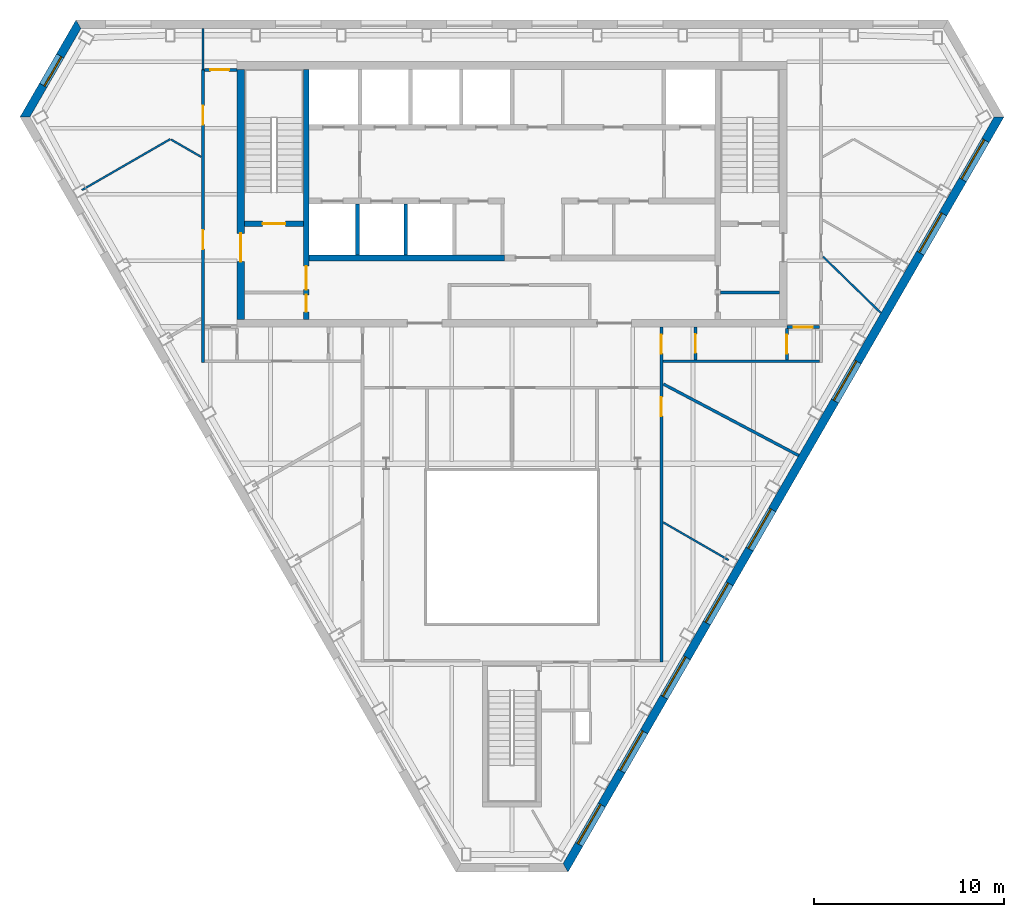
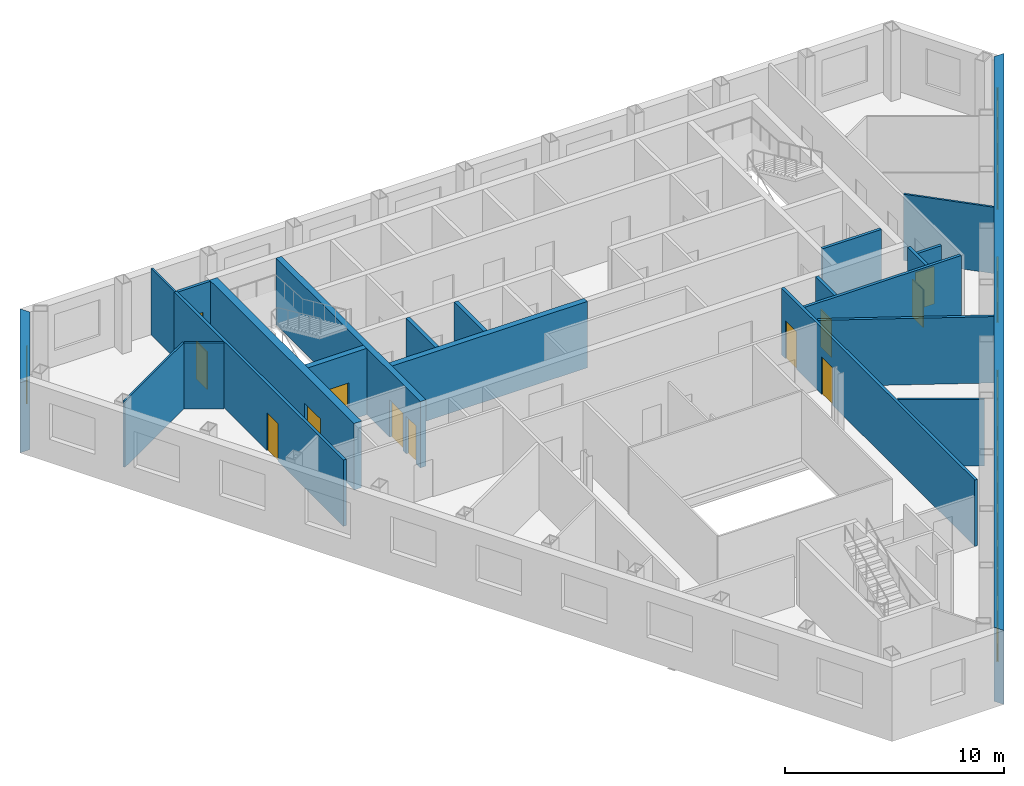
# One storey, part 5 of 10: 22 walls, 12 doors, 9 windows, 21 openings.
"""IFC4 building model written with IfcOpenShell, lengths in metres."""

from ifc_helpers import new_model, si_unit, direction, frame, frame_2d, origin, place, context, subcontext, project, spatial, polyline, rectangle, outline, extrude, material, layer, layer_set, type_object, element, fill, save


model = new_model("IFC4")

# Units and contexts
model_context = context("Model", 3, precision=1e-05, world=origin(), true_north=direction((0.0, 1.0)))
body_context = subcontext(model_context, "Body", "Model", "MODEL_VIEW")
ifc_project = project(units=[si_unit("LENGTHUNIT", "METRE"), si_unit("AREAUNIT", "SQUARE_METRE"), si_unit("VOLUMEUNIT", "CUBIC_METRE"), si_unit("PLANEANGLEUNIT", "RADIAN"), si_unit("MASSUNIT", "GRAM", prefix="KILO")], contexts=[model_context])

# Site, building, storey
site_placement = place(None, origin())
site = spatial("IfcSite", under=ifc_project, at=site_placement, CompositionType="ELEMENT")
building_placement = place(site_placement, origin())
building = spatial("IfcBuilding", under=site, at=building_placement, Name="Njiva Tower", CompositionType="ELEMENT")
storey_placement = place(building_placement, frame((0.0, 0.0, 264.9)))
storey = spatial("IfcBuildingStorey", under=building, at=storey_placement, Name="L60", CompositionType="ELEMENT", Elevation=264.9)

# Wall
ifc_material_1 = material(Name="Blockwork", Category="masonry")
ifc_layer_1 = layer(ifc_material_1, 0.15)
ifc_layer_set_1 = layer_set([ifc_layer_1], Name="Blockwork")
wall_type_1 = type_object("IfcWallType", Name="WT1 Compartment partition 150", PredefinedType="PARTITIONING", material=ifc_layer_set_1)
wall_1_placement = place(storey_placement, frame((11.0, 5.825, 0.0), z_axis=(0.0, 0.0, 1.0), x_axis=(1.0, 0.0, 0.0)))
element("IfcWall", 1, at=wall_1_placement, inside=storey, type_object=wall_type_1, Name="Room wall B", PredefinedType="PARTITIONING", context=body_context, shape_type="SweptSolid", body=[
    extrude(rectangle(XDim=3.1, YDim=0.15, at=frame_2d((1.55, 0.0))), origin(), (0.0, 0.0, 1.0), 3.7),
])

# Wall, openings, doors
ifc_material_2 = material(Name="Concrete C40/50", Category="concrete")
ifc_layer_2 = layer(ifc_material_2, 0.3)
ifc_layer_set_2 = layer_set([ifc_layer_2], Name="Concrete C40/50")
wall_type_2 = type_object("IfcWallType", Name="WT10 Stair enclosure wall 300", PredefinedType="SHEAR", material=ifc_layer_set_2)
wall_2_placement = place(storey_placement, frame((-10.85, 4.4, 0.0), z_axis=(0.0, 0.0, 1.0), x_axis=(0.0, 1.0, 0.0)))
wall_2 = element("IfcWall", 2, at=wall_2_placement, inside=storey, type_object=wall_type_2, Name="Stair wall west inner", PredefinedType="SHEAR", context=body_context, shape_type="SweptSolid", body=[
    extrude(rectangle(XDim=13.2, YDim=0.3, at=frame_2d((6.6, 0.0))), origin(), (0.0, 0.0, 1.0), 3.7),
])
opening_1_placement = place(wall_2_placement, frame((1.575, 0.0, 0.0)))
opening_1 = element("IfcOpeningElement", 3, at=opening_1_placement, cuts=wall_2, Name="Opening S19-D916", PredefinedType="OPENING", context=body_context, shape_type="SweptSolid", body=[
    extrude(rectangle(XDim=1.25, YDim=2.1, at=frame_2d((0.625, 1.05))), frame((0.0, 0.16, 0.0), z_axis=(0.0, -1.0, 0.0), x_axis=(1.0, 0.0, 0.0)), (0.0, 0.0, 1.0), 0.32),
])
opening_2_placement = place(wall_2_placement, frame((0.4, 0.0, 0.0)))
opening_2 = element("IfcOpeningElement", 4, at=opening_2_placement, cuts=wall_2, Name="Opening S19-D918", PredefinedType="OPENING", context=body_context, shape_type="SweptSolid", body=[
    extrude(rectangle(XDim=0.9, YDim=2.1, at=frame_2d((0.45, 1.05))), frame((0.0, 0.16, 0.0), z_axis=(0.0, -1.0, 0.0), x_axis=(1.0, 0.0, 0.0)), (0.0, 0.0, 1.0), 0.32),
])
ifc_material_3 = material(Name="Steel door, painted", Category="steel")
door_type_1 = type_object("IfcDoorType", Name="D13 Steel door 900x2100", OperationType="SINGLE_SWING_LEFT", PredefinedType="DOOR", material=ifc_material_3)
door_1_placement = place(opening_2_placement, origin())
door_1 = element("IfcDoor", 5, at=door_1_placement, inside=storey, type_object=door_type_1, Name="Reading room door", OperationType="SINGLE_SWING_RIGHT", OverallHeight=2.1, OverallWidth=0.9, PredefinedType="DOOR", context=body_context, shape_type="SweptSolid", body=[
    extrude(rectangle(XDim=0.9, YDim=2.1, at=frame_2d((0.45, 1.05))), frame((0.0, 0.025, 0.0), z_axis=(0.0, -1.0, 0.0), x_axis=(1.0, 0.0, 0.0)), (0.0, 0.0, 1.0), 0.05),
])
fill(opening_2, door_1)
ifc_material_4 = material(Name="Glazed steel fire door", Category="steel")
door_type_2 = type_object("IfcDoorType", Name="D8 Vestibule corridor door 1250x2100 glazed", OperationType="SINGLE_SWING_LEFT", PredefinedType="DOOR", material=ifc_material_4)
door_2_placement = place(opening_1_placement, origin())
door_2 = element("IfcDoor", 6, at=door_2_placement, inside=storey, type_object=door_type_2, Name="Stair vestibule corridor door", OperationType="SINGLE_SWING_LEFT", OverallHeight=2.1, OverallWidth=1.25, PredefinedType="DOOR", context=body_context, shape_type="SweptSolid", body=[
    extrude(rectangle(XDim=1.25, YDim=2.1, at=frame_2d((0.625, 1.05))), frame((0.0, 0.025, 0.0), z_axis=(0.0, -1.0, 0.0), x_axis=(1.0, 0.0, 0.0)), (0.0, 0.0, 1.0), 0.05),
])
fill(opening_1, door_2)

# Wall, opening, door
wall_3_placement = place(storey_placement, frame((-14.1, 9.45, 0.0), z_axis=(0.0, 0.0, 1.0), x_axis=(1.0, 0.0, 0.0)))
wall_3 = element("IfcWall", 7, at=wall_3_placement, inside=storey, type_object=wall_type_2, Name="Stair A south wall", PredefinedType="SHEAR", context=body_context, shape_type="SweptSolid", body=[
    extrude(rectangle(XDim=3.1, YDim=0.3, at=frame_2d((1.55, 0.0))), origin(), (0.0, 0.0, 1.0), 3.7),
])
opening_3_placement = place(wall_3_placement, frame((0.95, 0.0, 0.0)))
opening_3 = element("IfcOpeningElement", 8, at=opening_3_placement, cuts=wall_3, Name="Opening S19-D915", PredefinedType="OPENING", context=body_context, shape_type="SweptSolid", body=[
    extrude(rectangle(XDim=1.2, YDim=2.1, at=frame_2d((0.6, 1.05))), frame((0.0, 0.16, 0.0), z_axis=(0.0, -1.0, 0.0), x_axis=(1.0, 0.0, 0.0)), (0.0, 0.0, 1.0), 0.32),
])
door_type_3 = type_object("IfcDoorType", Name="D7 Stair vestibule door 1200x2100 glazed", OperationType="SINGLE_SWING_LEFT", PredefinedType="DOOR", material=ifc_material_4)
door_3_placement = place(opening_3_placement, origin())
door_3 = element("IfcDoor", 9, at=door_3_placement, inside=storey, type_object=door_type_3, Name="Stair A door", OperationType="SINGLE_SWING_LEFT", OverallHeight=2.1, OverallWidth=1.2, PredefinedType="DOOR", context=body_context, shape_type="SweptSolid", body=[
    extrude(rectangle(XDim=1.2, YDim=2.1, at=frame_2d((0.6, 1.05))), frame((0.0, 0.025, 0.0), z_axis=(0.0, -1.0, 0.0), x_axis=(1.0, 0.0, 0.0)), (0.0, 0.0, 1.0), 0.05),
])
fill(opening_3, door_3)

ifc_material_5 = material(Name="Concrete C60/75", Category="concrete")
ifc_layer_3 = layer(ifc_material_5, 0.4)
ifc_layer_set_3 = layer_set([ifc_layer_3], Name="Concrete C60/75")
wall_type_3 = type_object("IfcWallType", Name="WT11 Core wall 400", PredefinedType="SHEAR", material=ifc_layer_set_3)
wall_4_placement = place(storey_placement, frame((-14.3, 4.4, 0.0), z_axis=(0.0, 0.0, 1.0), x_axis=(0.0, 1.0, 0.0)))
wall_4 = element("IfcWall", 10, at=wall_4_placement, inside=storey, type_object=wall_type_3, Name="Core wall west", PredefinedType="SHEAR", context=body_context, shape_type="SweptSolid", body=[
    extrude(rectangle(XDim=13.2, YDim=0.4, at=frame_2d((6.6, 0.0))), origin(), (0.0, 0.0, 1.0), 3.7),
])
opening_4_placement = place(wall_4_placement, frame((3.05, 0.0, 0.0)))
opening_4 = element("IfcOpeningElement", 11, at=opening_4_placement, cuts=wall_4, Name="Opening S19-D917", PredefinedType="OPENING", context=body_context, shape_type="SweptSolid", body=[
    extrude(rectangle(XDim=1.5, YDim=2.1, at=frame_2d((0.75, 1.05))), frame((0.0, 0.21, 0.0), z_axis=(0.0, -1.0, 0.0), x_axis=(1.0, 0.0, 0.0)), (0.0, 0.0, 1.0), 0.42),
])
door_type_4 = type_object("IfcDoorType", Name="D10 Exit door double 1500x2100 glazed", OperationType="DOUBLE_DOOR_SINGLE_SWING", PredefinedType="DOOR", material=ifc_material_4)
door_4_placement = place(opening_4_placement, origin())
door_4 = element("IfcDoor", 12, at=door_4_placement, inside=storey, type_object=door_type_4, Name="Stair A corridor door", OperationType="DOUBLE_DOOR_SINGLE_SWING", OverallHeight=2.1, OverallWidth=1.5, PredefinedType="DOOR", context=body_context, shape_type="SweptSolid", body=[
    extrude(rectangle(XDim=1.5, YDim=2.1, at=frame_2d((0.75, 1.05))), frame((0.0, 0.025, 0.0), z_axis=(0.0, -1.0, 0.0), x_axis=(1.0, 0.0, 0.0)), (0.0, 0.0, 1.0), 0.05),
])
fill(opening_4, door_4)

# Walls
ifc_material_6 = material(Name="Gypsum board on steel studs", Category="gypsum")
ifc_layer_4 = layer(ifc_material_6, 0.1)
ifc_layer_set_4 = layer_set([ifc_layer_4], Name="Gypsum board on steel studs")
wall_type_4 = type_object("IfcWallType", Name="WT20 Gypsum partition 100", PredefinedType="PARTITIONING", material=ifc_layer_set_4)
wall_5_placement = place(storey_placement, frame((-22.687, 11.23, 0.0), z_axis=(0.0, 0.0, 1.0), x_axis=(0.866188679886, 0.499717090799, 0.0)))
element("IfcWall", 13, at=wall_5_placement, inside=storey, type_object=wall_type_4, Name="Partition S19-P001", PredefinedType="PARTITIONING", context=body_context, shape_type="SweptSolid", body=[
    extrude(rectangle(XDim=5.381, YDim=0.1, at=frame_2d((2.6905, 0.0))), origin(), (0.0, 0.0, 1.0), 3.7),
])
wall_6_placement = place(storey_placement, frame((-17.988, 13.898, 0.0), z_axis=(0.0, 0.0, 1.0), x_axis=(0.866221908719, -0.499659488908, 0.0)))
element("IfcWall", 14, at=wall_6_placement, inside=storey, type_object=wall_type_4, Name="Partition S19-P003", PredefinedType="PARTITIONING", context=body_context, shape_type="SweptSolid", body=[
    extrude(rectangle(XDim=1.8332, YDim=0.1, at=frame_2d((0.9166, 0.0))), origin(), (0.0, 0.0, 1.0), 3.7),
])
wall_7_placement = place(storey_placement, frame((-16.3, 17.584, 0.0), z_axis=(0.0, 0.0, 1.0), x_axis=(0.0, 1.0, 0.0)))
element("IfcWall", 15, at=wall_7_placement, inside=storey, type_object=wall_type_4, Name="Partition S19-P005", PredefinedType="PARTITIONING", context=body_context, shape_type="SweptSolid", body=[
    extrude(rectangle(XDim=2.166, YDim=0.1, at=frame_2d((1.083, 0.0))), origin(), (0.0, 0.0, 1.0), 3.7),
])
wall_8_placement = place(storey_placement, frame((7.98, -6.3, 0.0), z_axis=(0.0, 0.0, 1.0), x_axis=(0.866143665252, -0.499795109164, 0.0)))
element("IfcWall", 16, at=wall_8_placement, inside=storey, type_object=wall_type_4, Name="Partition S19-P024", PredefinedType="PARTITIONING", context=body_context, shape_type="SweptSolid", body=[
    extrude(rectangle(XDim=3.9716, YDim=0.1, at=frame_2d((1.9858, 0.0))), origin(), (0.0, 0.0, 1.0), 3.7),
])
wall_9_placement = place(storey_placement, frame((16.41, 7.717, 0.0), z_axis=(0.0, 0.0, 1.0), x_axis=(0.716434135664, -0.697654734991, 0.0)))
element("IfcWall", 17, at=wall_9_placement, inside=storey, type_object=wall_type_4, Name="Partition S19-P033", PredefinedType="PARTITIONING", context=body_context, shape_type="SweptSolid", body=[
    extrude(rectangle(XDim=4.26, YDim=0.1, at=frame_2d((2.13, 0.0))), origin(), (0.0, 0.0, 1.0), 3.7),
])

# Wall, openings, doors
ifc_layer_5 = layer(ifc_material_6, 0.15)
ifc_layer_set_5 = layer_set([ifc_layer_5], Name="Gypsum board on steel studs")
wall_type_5 = type_object("IfcWallType", Name="WT21 Compartment wall 150", PredefinedType="PARTITIONING", material=ifc_layer_set_5)
wall_10_placement = place(storey_placement, frame((-16.3, 2.125, 0.0), z_axis=(0.0, 0.0, 1.0), x_axis=(0.0, 1.0, 0.0)))
wall_10 = element("IfcWall", 18, at=wall_10_placement, inside=storey, type_object=wall_type_5, Name="Partition S19-P004", PredefinedType="PARTITIONING", context=body_context, shape_type="SweptSolid", body=[
    extrude(rectangle(XDim=15.459, YDim=0.15, at=frame_2d((7.7295, 0.0))), origin(), (0.0, 0.0, 1.0), 3.7),
])
opening_5_placement = place(wall_10_placement, frame((5.99, 0.0, 0.0)))
opening_5 = element("IfcOpeningElement", 19, at=opening_5_placement, cuts=wall_10, Name="Opening S19-D001", PredefinedType="OPENING", context=body_context, shape_type="SweptSolid", body=[
    extrude(rectangle(XDim=1.0, YDim=2.1, at=frame_2d((0.5, 1.05))), frame((0.0, 0.085, 0.0), z_axis=(0.0, -1.0, 0.0), x_axis=(1.0, 0.0, 0.0)), (0.0, 0.0, 1.0), 0.17),
])
opening_6_placement = place(wall_10_placement, frame((12.554, 0.0, 0.0)))
opening_6 = element("IfcOpeningElement", 20, at=opening_6_placement, cuts=wall_10, Name="Opening S19-D002", PredefinedType="OPENING", context=body_context, shape_type="SweptSolid", body=[
    extrude(rectangle(XDim=1.0, YDim=2.1, at=frame_2d((0.5, 1.05))), frame((0.0, 0.085, 0.0), z_axis=(0.0, -1.0, 0.0), x_axis=(1.0, 0.0, 0.0)), (0.0, 0.0, 1.0), 0.17),
])
ifc_material_7 = material(Name="Steel fire door set", Category="steel")
door_type_5 = type_object("IfcDoorType", Name="D37 Fire door 1000x2100", OperationType="SINGLE_SWING_LEFT", PredefinedType="DOOR", material=ifc_material_7)
door_5_placement = place(opening_5_placement, origin())
door_5 = element("IfcDoor", 21, at=door_5_placement, inside=storey, type_object=door_type_5, Name="Door S19-D001", OperationType="SINGLE_SWING_RIGHT", OverallHeight=2.1, OverallWidth=1.0, PredefinedType="DOOR", context=body_context, shape_type="SweptSolid", body=[
    extrude(rectangle(XDim=1.0, YDim=2.1, at=frame_2d((0.5, 1.05))), frame((0.0, 0.025, 0.0), z_axis=(0.0, -1.0, 0.0), x_axis=(1.0, 0.0, 0.0)), (0.0, 0.0, 1.0), 0.05),
])
fill(opening_5, door_5)
door_6_placement = place(opening_6_placement, origin())
door_6 = element("IfcDoor", 22, at=door_6_placement, inside=storey, type_object=door_type_5, Name="Door S19-D002", OperationType="SINGLE_SWING_LEFT", OverallHeight=2.1, OverallWidth=1.0, PredefinedType="DOOR", context=body_context, shape_type="SweptSolid", body=[
    extrude(rectangle(XDim=1.0, YDim=2.1, at=frame_2d((0.5, 1.05))), frame((0.0, 0.025, 0.0), z_axis=(0.0, -1.0, 0.0), x_axis=(1.0, 0.0, 0.0)), (0.0, 0.0, 1.0), 0.05),
])
fill(opening_6, door_6)

# Wall, opening, door
wall_11_placement = place(storey_placement, frame((-16.225, 17.572, 0.0), z_axis=(0.0, 0.0, 1.0), x_axis=(1.0, 0.0, 0.0)))
wall_11 = element("IfcWall", 23, at=wall_11_placement, inside=storey, type_object=wall_type_5, Name="Partition S19-P008", PredefinedType="PARTITIONING", context=body_context, shape_type="SweptSolid", body=[
    extrude(rectangle(XDim=1.725, YDim=0.15, at=frame_2d((0.8625, 0.0))), origin(), (0.0, 0.0, 1.0), 3.7),
])
opening_7_placement = place(wall_11_placement, frame((0.308, 0.0, 0.0)))
opening_7 = element("IfcOpeningElement", 24, at=opening_7_placement, cuts=wall_11, Name="Opening S19-D005", PredefinedType="OPENING", context=body_context, shape_type="SweptSolid", body=[
    extrude(rectangle(XDim=1.0, YDim=2.1, at=frame_2d((0.5, 1.05))), frame((0.0, 0.085, 0.0), z_axis=(0.0, -1.0, 0.0), x_axis=(1.0, 0.0, 0.0)), (0.0, 0.0, 1.0), 0.17),
])
door_7_placement = place(opening_7_placement, origin())
door_7 = element("IfcDoor", 25, at=door_7_placement, inside=storey, type_object=door_type_5, Name="Door S19-D005", OperationType="SINGLE_SWING_RIGHT", OverallHeight=2.1, OverallWidth=1.0, PredefinedType="DOOR", context=body_context, shape_type="SweptSolid", body=[
    extrude(rectangle(XDim=1.0, YDim=2.1, at=frame_2d((0.5, 1.05))), frame((0.0, 0.025, 0.0), z_axis=(0.0, -1.0, 0.0), x_axis=(1.0, 0.0, 0.0)), (0.0, 0.0, 1.0), 0.05),
])
fill(opening_7, door_7)

# Wall, openings, doors
wall_12_placement = place(storey_placement, frame((7.88, -13.675, 0.0), z_axis=(0.0, 0.0, 1.0), x_axis=(0.0, 1.0, 0.0)))
wall_12 = element("IfcWall", 26, at=wall_12_placement, inside=storey, type_object=wall_type_5, Name="Partition S19-P022", PredefinedType="PARTITIONING", context=body_context, shape_type="SweptSolid", body=[
    extrude(rectangle(XDim=17.675, YDim=0.15, at=frame_2d((8.8375, 0.0))), origin(), (0.0, 0.0, 1.0), 3.7),
])
opening_8_placement = place(wall_12_placement, frame((12.984, 0.0, 0.0)))
opening_8 = element("IfcOpeningElement", 27, at=opening_8_placement, cuts=wall_12, Name="Opening S19-D017", PredefinedType="OPENING", context=body_context, shape_type="SweptSolid", body=[
    extrude(rectangle(XDim=1.0, YDim=2.1, at=frame_2d((0.5, 1.05))), frame((0.0, 0.085, 0.0), z_axis=(0.0, -1.0, 0.0), x_axis=(1.0, 0.0, 0.0)), (0.0, 0.0, 1.0), 0.17),
])
opening_9_placement = place(wall_12_placement, frame((16.275, 0.0, 0.0)))
opening_9 = element("IfcOpeningElement", 28, at=opening_9_placement, cuts=wall_12, Name="Opening S19-D018", PredefinedType="OPENING", context=body_context, shape_type="SweptSolid", body=[
    extrude(rectangle(XDim=1.0, YDim=2.1, at=frame_2d((0.5, 1.05))), frame((0.0, 0.085, 0.0), z_axis=(0.0, -1.0, 0.0), x_axis=(1.0, 0.0, 0.0)), (0.0, 0.0, 1.0), 0.17),
])
door_8_placement = place(opening_8_placement, origin())
door_8 = element("IfcDoor", 29, at=door_8_placement, inside=storey, type_object=door_type_5, Name="Door S19-D017", OperationType="SINGLE_SWING_RIGHT", OverallHeight=2.1, OverallWidth=1.0, PredefinedType="DOOR", context=body_context, shape_type="SweptSolid", body=[
    extrude(rectangle(XDim=1.0, YDim=2.1, at=frame_2d((0.5, 1.05))), frame((0.0, 0.025, 0.0), z_axis=(0.0, -1.0, 0.0), x_axis=(1.0, 0.0, 0.0)), (0.0, 0.0, 1.0), 0.05),
])
fill(opening_8, door_8)
door_9_placement = place(opening_9_placement, origin())
door_9 = element("IfcDoor", 30, at=door_9_placement, inside=storey, type_object=door_type_5, Name="Door S19-D018", OperationType="SINGLE_SWING_RIGHT", OverallHeight=2.1, OverallWidth=1.0, PredefinedType="DOOR", context=body_context, shape_type="SweptSolid", body=[
    extrude(rectangle(XDim=1.0, YDim=2.1, at=frame_2d((0.5, 1.05))), frame((0.0, 0.025, 0.0), z_axis=(0.0, -1.0, 0.0), x_axis=(1.0, 0.0, 0.0)), (0.0, 0.0, 1.0), 0.05),
])
fill(opening_9, door_9)

# Walls
wall_13_placement = place(storey_placement, frame((7.955, 2.2, 0.0), z_axis=(0.0, 0.0, 1.0), x_axis=(1.0, 0.0, 0.0)))
element("IfcWall", 31, at=wall_13_placement, inside=storey, type_object=wall_type_5, Name="Partition S19-P023", PredefinedType="PARTITIONING", context=body_context, shape_type="SweptSolid", body=[
    extrude(rectangle(XDim=8.27, YDim=0.15, at=frame_2d((4.135, 0.0))), origin(), (0.0, 0.0, 1.0), 3.7),
])
wall_14_placement = place(storey_placement, frame((7.99, 0.994, 0.0), z_axis=(0.0, 0.0, 1.0), x_axis=(0.88420981039, -0.467089939102, 0.0)))
element("IfcWall", 32, at=wall_14_placement, inside=storey, type_object=wall_type_5, Name="Partition S19-P025", PredefinedType="PARTITIONING", context=body_context, shape_type="SweptSolid", body=[
    extrude(rectangle(XDim=8.0648, YDim=0.15, at=frame_2d((4.0324, 0.0))), origin(), (0.0, 0.0, 1.0), 3.7),
])

# Wall, opening, door
wall_15_placement = place(storey_placement, frame((9.68, 2.275, 0.0), z_axis=(0.0, 0.0, 1.0), x_axis=(0.0, 1.0, 0.0)))
wall_15 = element("IfcWall", 33, at=wall_15_placement, inside=storey, type_object=wall_type_5, Name="Partition S19-P026", PredefinedType="PARTITIONING", context=body_context, shape_type="SweptSolid", body=[
    extrude(rectangle(XDim=1.725, YDim=0.15, at=frame_2d((0.8625, 0.0))), origin(), (0.0, 0.0, 1.0), 3.7),
])
opening_10_placement = place(wall_15_placement, frame((0.362, 0.0, 0.0)))
opening_10 = element("IfcOpeningElement", 34, at=opening_10_placement, cuts=wall_15, Name="Opening S19-D019", PredefinedType="OPENING", context=body_context, shape_type="SweptSolid", body=[
    extrude(rectangle(XDim=1.0, YDim=2.1, at=frame_2d((0.5, 1.05))), frame((0.0, 0.085, 0.0), z_axis=(0.0, -1.0, 0.0), x_axis=(1.0, 0.0, 0.0)), (0.0, 0.0, 1.0), 0.17),
])
door_10_placement = place(opening_10_placement, origin())
door_10 = element("IfcDoor", 35, at=door_10_placement, inside=storey, type_object=door_type_5, Name="Door S19-D019", OperationType="SINGLE_SWING_LEFT", OverallHeight=2.1, OverallWidth=1.0, PredefinedType="DOOR", context=body_context, shape_type="SweptSolid", body=[
    extrude(rectangle(XDim=1.0, YDim=2.1, at=frame_2d((0.5, 1.05))), frame((0.0, 0.025, 0.0), z_axis=(0.0, -1.0, 0.0), x_axis=(1.0, 0.0, 0.0)), (0.0, 0.0, 1.0), 0.05),
])
fill(opening_10, door_10)

wall_16_placement = place(storey_placement, frame((14.5, 2.275, 0.0), z_axis=(0.0, 0.0, 1.0), x_axis=(0.0, 1.0, 0.0)))
wall_16 = element("IfcWall", 36, at=wall_16_placement, inside=storey, type_object=wall_type_5, Name="Partition S19-P028", PredefinedType="PARTITIONING", context=body_context, shape_type="SweptSolid", body=[
    extrude(rectangle(XDim=1.65, YDim=0.15, at=frame_2d((0.825, 0.0))), origin(), (0.0, 0.0, 1.0), 3.7),
])
opening_11_placement = place(wall_16_placement, frame((0.325, 0.0, 0.0)))
opening_11 = element("IfcOpeningElement", 37, at=opening_11_placement, cuts=wall_16, Name="Opening S19-D020", PredefinedType="OPENING", context=body_context, shape_type="SweptSolid", body=[
    extrude(rectangle(XDim=1.0, YDim=2.1, at=frame_2d((0.5, 1.05))), frame((0.0, 0.085, 0.0), z_axis=(0.0, -1.0, 0.0), x_axis=(1.0, 0.0, 0.0)), (0.0, 0.0, 1.0), 0.17),
])
door_11_placement = place(opening_11_placement, origin())
door_11 = element("IfcDoor", 38, at=door_11_placement, inside=storey, type_object=door_type_5, Name="Door S19-D020", OperationType="SINGLE_SWING_LEFT", OverallHeight=2.1, OverallWidth=1.0, PredefinedType="DOOR", context=body_context, shape_type="SweptSolid", body=[
    extrude(rectangle(XDim=1.0, YDim=2.1, at=frame_2d((0.5, 1.05))), frame((0.0, 0.025, 0.0), z_axis=(0.0, -1.0, 0.0), x_axis=(1.0, 0.0, 0.0)), (0.0, 0.0, 1.0), 0.05),
])
fill(opening_11, door_11)

wall_17_placement = place(storey_placement, frame((14.5, 4.0, 0.0), z_axis=(0.0, 0.0, 1.0), x_axis=(1.0, 0.0, 0.0)))
wall_17 = element("IfcWall", 39, at=wall_17_placement, inside=storey, type_object=wall_type_5, Name="Partition S19-P029", PredefinedType="PARTITIONING", context=body_context, shape_type="SweptSolid", body=[
    extrude(rectangle(XDim=1.725, YDim=0.15, at=frame_2d((0.8625, 0.0))), origin(), (0.0, 0.0, 1.0), 3.16),
])
opening_12_placement = place(wall_17_placement, frame((0.363, 0.0, 0.0)))
opening_12 = element("IfcOpeningElement", 40, at=opening_12_placement, cuts=wall_17, Name="Opening S19-D021", PredefinedType="OPENING", context=body_context, shape_type="SweptSolid", body=[
    extrude(rectangle(XDim=1.0, YDim=2.1, at=frame_2d((0.5, 1.05))), frame((0.0, 0.085, 0.0), z_axis=(0.0, -1.0, 0.0), x_axis=(1.0, 0.0, 0.0)), (0.0, 0.0, 1.0), 0.17),
])
door_12_placement = place(opening_12_placement, origin())
door_12 = element("IfcDoor", 41, at=door_12_placement, inside=storey, type_object=door_type_5, Name="Door S19-D021", OperationType="SINGLE_SWING_LEFT", OverallHeight=2.1, OverallWidth=1.0, PredefinedType="DOOR", context=body_context, shape_type="SweptSolid", body=[
    extrude(rectangle(XDim=1.0, YDim=2.1, at=frame_2d((0.5, 1.05))), frame((0.0, 0.025, 0.0), z_axis=(0.0, -1.0, 0.0), x_axis=(1.0, 0.0, 0.0)), (0.0, 0.0, 1.0), 0.05),
])
fill(opening_12, door_12)

# Walls
ifc_layer_6 = layer(ifc_material_2, 0.2)
ifc_layer_set_6 = layer_set([ifc_layer_6], Name="Concrete C40/50")
wall_type_6 = type_object("IfcWallType", Name="WT6 Lift shaft wall 200", PredefinedType="SHEAR", material=ifc_layer_set_6)
for number, where, z_axis, x_axis, name in (
    (42, (-8.15, 7.8, 0.0), (0.0, 0.0, 1.0), (0.0, 1.0, 0.0), "Shaft wall CS1"),
    (43, (-5.6, 7.8, 0.0), (0.0, 0.0, 1.0), (0.0, 1.0, 0.0), "Shaft wall CS2"),
):
    element("IfcWall", number, at=place(storey_placement, frame(where, z_axis=z_axis, x_axis=x_axis)), inside=storey, type_object=wall_type_6, Name=name, PredefinedType="SHEAR", context=body_context, shape_type="SweptSolid", body=[
        extrude(rectangle(XDim=2.7, YDim=0.2, at=frame_2d((1.35, 0.0))), origin(), (0.0, 0.0, 1.0), 3.7),
    ])
ifc_layer_7 = layer(ifc_material_2, 0.3)
ifc_layer_set_7 = layer_set([ifc_layer_7], Name="Concrete C40/50")
wall_type_7 = type_object("IfcWallType", Name="WT7 Lift shaft wall 300", PredefinedType="SHEAR", material=ifc_layer_set_7)
wall_18_placement = place(storey_placement, frame((-10.7, 7.65, 0.0), z_axis=(0.0, 0.0, 1.0), x_axis=(1.0, 0.0, 0.0)))
element("IfcWall", 44, at=wall_18_placement, inside=storey, type_object=wall_type_7, Name="Shaft wall south row back W", PredefinedType="SHEAR", context=body_context, shape_type="SweptSolid", body=[
    extrude(rectangle(XDim=10.3, YDim=0.3, at=frame_2d((5.15, 0.0))), origin(), (0.0, 0.0, 1.0), 3.7),
])

# Wall, openings, windows
ifc_material_8 = material(Name="Brick masonry", Category="masonry")
ifc_layer_8 = layer(ifc_material_8, 0.45)
ifc_layer_set_8 = layer_set([ifc_layer_8], Name="Brick masonry")
wall_type_8 = type_object("IfcWallType", Name="WT90 Brick pier and spandrel wall 450", PredefinedType="SOLIDWALL", material=ifc_layer_set_8)
wall_19_placement = place(storey_placement, frame((2.8251, -24.5217, -0.4), z_axis=(0.0, 0.0, 1.0), x_axis=(0.500000141277, 0.866025322218, 0.0)))
wall_19 = element("IfcWall", 45, at=wall_19_placement, inside=storey, type_object=wall_type_8, Name="Facade wall SE", PredefinedType="SOLIDWALL", context=body_context, shape_type="SweptSolid", body=[
    extrude(outline(polyline([(-0.1299, -0.225), (45.8601, -0.225), (45.6003, 0.225), (0.1299, 0.225), (-0.1299, -0.225)])), origin(), (0.0, 0.0, 1.0), 4.12),
])
opening_13_placement = place(wall_19_placement, frame((1.4237, 0.0, 1.3)))
opening_13 = element("IfcOpeningElement", 46, at=opening_13_placement, cuts=wall_19, Name="Opening S19-W20", PredefinedType="OPENING", context=body_context, shape_type="SweptSolid", body=[
    extrude(rectangle(XDim=2.4, YDim=2.0, at=frame_2d((1.2, 1.0))), frame((0.0, 0.235, 0.0), z_axis=(0.0, -1.0, 0.0), x_axis=(1.0, 0.0, 0.0)), (0.0, 0.0, 1.0), 0.47),
])
opening_14_placement = place(wall_19_placement, frame((5.8919, 0.0, 1.3)))
opening_14 = element("IfcOpeningElement", 47, at=opening_14_placement, cuts=wall_19, Name="Opening S19-W21", PredefinedType="OPENING", context=body_context, shape_type="SweptSolid", body=[
    extrude(rectangle(XDim=2.4, YDim=2.0, at=frame_2d((1.2, 1.0))), frame((0.0, 0.235, 0.0), z_axis=(0.0, -1.0, 0.0), x_axis=(1.0, 0.0, 0.0)), (0.0, 0.0, 1.0), 0.47),
])
opening_15_placement = place(wall_19_placement, frame((10.3985, 0.0, 1.3)))
opening_15 = element("IfcOpeningElement", 48, at=opening_15_placement, cuts=wall_19, Name="Opening S19-W22", PredefinedType="OPENING", context=body_context, shape_type="SweptSolid", body=[
    extrude(rectangle(XDim=2.4, YDim=2.0, at=frame_2d((1.2, 1.0))), frame((0.0, 0.235, 0.0), z_axis=(0.0, -1.0, 0.0), x_axis=(1.0, 0.0, 0.0)), (0.0, 0.0, 1.0), 0.47),
])
opening_16_placement = place(wall_19_placement, frame((14.9052, 0.0, 1.3)))
opening_16 = element("IfcOpeningElement", 49, at=opening_16_placement, cuts=wall_19, Name="Opening S19-W23", PredefinedType="OPENING", context=body_context, shape_type="SweptSolid", body=[
    extrude(rectangle(XDim=2.4, YDim=2.0, at=frame_2d((1.2, 1.0))), frame((0.0, 0.235, 0.0), z_axis=(0.0, -1.0, 0.0), x_axis=(1.0, 0.0, 0.0)), (0.0, 0.0, 1.0), 0.47),
])
opening_17_placement = place(wall_19_placement, frame((19.4118, 0.0, 1.3)))
opening_17 = element("IfcOpeningElement", 50, at=opening_17_placement, cuts=wall_19, Name="Opening S19-W24", PredefinedType="OPENING", context=body_context, shape_type="SweptSolid", body=[
    extrude(rectangle(XDim=2.4, YDim=2.0, at=frame_2d((1.2, 1.0))), frame((0.0, 0.235, 0.0), z_axis=(0.0, -1.0, 0.0), x_axis=(1.0, 0.0, 0.0)), (0.0, 0.0, 1.0), 0.47),
])
opening_18_placement = place(wall_19_placement, frame((28.425, 0.0, 1.3)))
opening_18 = element("IfcOpeningElement", 51, at=opening_18_placement, cuts=wall_19, Name="Opening S19-W25", PredefinedType="OPENING", context=body_context, shape_type="SweptSolid", body=[
    extrude(rectangle(XDim=2.4, YDim=2.0, at=frame_2d((1.2, 1.0))), frame((0.0, 0.235, 0.0), z_axis=(0.0, -1.0, 0.0), x_axis=(1.0, 0.0, 0.0)), (0.0, 0.0, 1.0), 0.47),
])
opening_19_placement = place(wall_19_placement, frame((37.4383, 0.0, 1.3)))
opening_19 = element("IfcOpeningElement", 52, at=opening_19_placement, cuts=wall_19, Name="Opening S19-W26", PredefinedType="OPENING", context=body_context, shape_type="SweptSolid", body=[
    extrude(rectangle(XDim=2.4, YDim=2.0, at=frame_2d((1.2, 1.0))), frame((0.0, 0.235, 0.0), z_axis=(0.0, -1.0, 0.0), x_axis=(1.0, 0.0, 0.0)), (0.0, 0.0, 1.0), 0.47),
])
opening_20_placement = place(wall_19_placement, frame((41.9065, 0.0, 1.3)))
opening_20 = element("IfcOpeningElement", 53, at=opening_20_placement, cuts=wall_19, Name="Opening S19-W27", PredefinedType="OPENING", context=body_context, shape_type="SweptSolid", body=[
    extrude(rectangle(XDim=2.4, YDim=2.0, at=frame_2d((1.2, 1.0))), frame((0.0, 0.235, 0.0), z_axis=(0.0, -1.0, 0.0), x_axis=(1.0, 0.0, 0.0)), (0.0, 0.0, 1.0), 0.47),
])
ifc_material_9 = material(Name="Clear glazing in aluminium frame", Category="aluminium")
window_type_1 = type_object("IfcWindowType", Name="W90 Deep-set window 2400x2000", PartitioningType="SINGLE_PANEL", PredefinedType="WINDOW", material=ifc_material_9)
window_1_placement = place(opening_13_placement, origin())
window_1 = element("IfcWindow", 54, at=window_1_placement, inside=storey, type_object=window_type_1, Name="Window", OverallHeight=2.0, OverallWidth=2.4, PartitioningType="SINGLE_PANEL", PredefinedType="WINDOW", context=body_context, shape_type="SweptSolid", body=[
    extrude(rectangle(XDim=2.4, YDim=2.0, at=frame_2d((1.2, 1.0))), frame((0.0, 0.105, 0.0), z_axis=(0.0, -1.0, 0.0), x_axis=(1.0, 0.0, 0.0)), (0.0, 0.0, 1.0), 0.06),
])
fill(opening_13, window_1)
window_2_placement = place(opening_14_placement, origin())
window_2 = element("IfcWindow", 55, at=window_2_placement, inside=storey, type_object=window_type_1, Name="Window", OverallHeight=2.0, OverallWidth=2.4, PartitioningType="SINGLE_PANEL", PredefinedType="WINDOW", context=body_context, shape_type="SweptSolid", body=[
    extrude(rectangle(XDim=2.4, YDim=2.0, at=frame_2d((1.2, 1.0))), frame((0.0, 0.105, 0.0), z_axis=(0.0, -1.0, 0.0), x_axis=(1.0, 0.0, 0.0)), (0.0, 0.0, 1.0), 0.06),
])
fill(opening_14, window_2)
window_3_placement = place(opening_15_placement, origin())
window_3 = element("IfcWindow", 56, at=window_3_placement, inside=storey, type_object=window_type_1, Name="Window", OverallHeight=2.0, OverallWidth=2.4, PartitioningType="SINGLE_PANEL", PredefinedType="WINDOW", context=body_context, shape_type="SweptSolid", body=[
    extrude(rectangle(XDim=2.4, YDim=2.0, at=frame_2d((1.2, 1.0))), frame((0.0, 0.105, 0.0), z_axis=(0.0, -1.0, 0.0), x_axis=(1.0, 0.0, 0.0)), (0.0, 0.0, 1.0), 0.06),
])
fill(opening_15, window_3)
window_4_placement = place(opening_16_placement, origin())
window_4 = element("IfcWindow", 57, at=window_4_placement, inside=storey, type_object=window_type_1, Name="Window", OverallHeight=2.0, OverallWidth=2.4, PartitioningType="SINGLE_PANEL", PredefinedType="WINDOW", context=body_context, shape_type="SweptSolid", body=[
    extrude(rectangle(XDim=2.4, YDim=2.0, at=frame_2d((1.2, 1.0))), frame((0.0, 0.105, 0.0), z_axis=(0.0, -1.0, 0.0), x_axis=(1.0, 0.0, 0.0)), (0.0, 0.0, 1.0), 0.06),
])
fill(opening_16, window_4)
window_5_placement = place(opening_17_placement, origin())
window_5 = element("IfcWindow", 58, at=window_5_placement, inside=storey, type_object=window_type_1, Name="Window", OverallHeight=2.0, OverallWidth=2.4, PartitioningType="SINGLE_PANEL", PredefinedType="WINDOW", context=body_context, shape_type="SweptSolid", body=[
    extrude(rectangle(XDim=2.4, YDim=2.0, at=frame_2d((1.2, 1.0))), frame((0.0, 0.105, 0.0), z_axis=(0.0, -1.0, 0.0), x_axis=(1.0, 0.0, 0.0)), (0.0, 0.0, 1.0), 0.06),
])
fill(opening_17, window_5)
window_6_placement = place(opening_18_placement, origin())
window_6 = element("IfcWindow", 59, at=window_6_placement, inside=storey, type_object=window_type_1, Name="Window", OverallHeight=2.0, OverallWidth=2.4, PartitioningType="SINGLE_PANEL", PredefinedType="WINDOW", context=body_context, shape_type="SweptSolid", body=[
    extrude(rectangle(XDim=2.4, YDim=2.0, at=frame_2d((1.2, 1.0))), frame((0.0, 0.105, 0.0), z_axis=(0.0, -1.0, 0.0), x_axis=(1.0, 0.0, 0.0)), (0.0, 0.0, 1.0), 0.06),
])
fill(opening_18, window_6)
window_7_placement = place(opening_19_placement, origin())
window_7 = element("IfcWindow", 60, at=window_7_placement, inside=storey, type_object=window_type_1, Name="Window", OverallHeight=2.0, OverallWidth=2.4, PartitioningType="SINGLE_PANEL", PredefinedType="WINDOW", context=body_context, shape_type="SweptSolid", body=[
    extrude(rectangle(XDim=2.4, YDim=2.0, at=frame_2d((1.2, 1.0))), frame((0.0, 0.105, 0.0), z_axis=(0.0, -1.0, 0.0), x_axis=(1.0, 0.0, 0.0)), (0.0, 0.0, 1.0), 0.06),
])
fill(opening_19, window_7)
window_8_placement = place(opening_20_placement, origin())
window_8 = element("IfcWindow", 61, at=window_8_placement, inside=storey, type_object=window_type_1, Name="Window", OverallHeight=2.0, OverallWidth=2.4, PartitioningType="SINGLE_PANEL", PredefinedType="WINDOW", context=body_context, shape_type="SweptSolid", body=[
    extrude(rectangle(XDim=2.4, YDim=2.0, at=frame_2d((1.2, 1.0))), frame((0.0, 0.105, 0.0), z_axis=(0.0, -1.0, 0.0), x_axis=(1.0, 0.0, 0.0)), (0.0, 0.0, 1.0), 0.06),
])
fill(opening_20, window_8)

# Wall, opening, window
ifc_material_10 = material(Name="Brick masonry, buff", Category="masonry")
ifc_layer_9 = layer(ifc_material_10, 0.45)
ifc_layer_set_9 = layer_set([ifc_layer_9], Name="Brick masonry, buff")
wall_type_9 = type_object("IfcWallType", Name="WT94 Brick pier and spandrel wall 450, buff", PredefinedType="SOLIDWALL", material=ifc_layer_set_9)
wall_20_placement = place(storey_placement, frame((-22.8688, 19.9772, -0.4), z_axis=(0.0, 0.0, 1.0), x_axis=(-0.50000128263, -0.866024663256, 0.0)))
wall_20 = element("IfcWall", 62, at=wall_20_placement, inside=storey, type_object=wall_type_9, Name="Facade wall NW", PredefinedType="SOLIDWALL", context=body_context, shape_type="SweptSolid", body=[
    extrude(outline(polyline([(-0.1299, -0.225), (5.7801, -0.225), (5.5203, 0.225), (0.1299, 0.225), (-0.1299, -0.225)])), origin(), (0.0, 0.0, 1.0), 3.9),
])
opening_21_placement = place(wall_20_placement, frame((1.9251, 0.0, 1.3)))
opening_21 = element("IfcOpeningElement", 63, at=opening_21_placement, cuts=wall_20, Name="Opening S19-W08", PredefinedType="OPENING", context=body_context, shape_type="SweptSolid", body=[
    extrude(rectangle(XDim=1.8, YDim=2.0, at=frame_2d((0.9, 1.0))), frame((0.0, 0.235, 0.0), z_axis=(0.0, -1.0, 0.0), x_axis=(1.0, 0.0, 0.0)), (0.0, 0.0, 1.0), 0.47),
])
window_type_2 = type_object("IfcWindowType", Name="W94 Deep-set window 1800x2000", PartitioningType="SINGLE_PANEL", PredefinedType="WINDOW", material=ifc_material_9)
window_9_placement = place(opening_21_placement, origin())
window_9 = element("IfcWindow", 64, at=window_9_placement, inside=storey, type_object=window_type_2, Name="Window", OverallHeight=2.0, OverallWidth=1.8, PartitioningType="SINGLE_PANEL", PredefinedType="WINDOW", context=body_context, shape_type="SweptSolid", body=[
    extrude(rectangle(XDim=1.8, YDim=2.0, at=frame_2d((0.9, 1.0))), frame((0.0, 0.105, 0.0), z_axis=(0.0, -1.0, 0.0), x_axis=(1.0, 0.0, 0.0)), (0.0, 0.0, 1.0), 0.06),
])
fill(opening_21, window_9)

save(model, "model.ifc")
